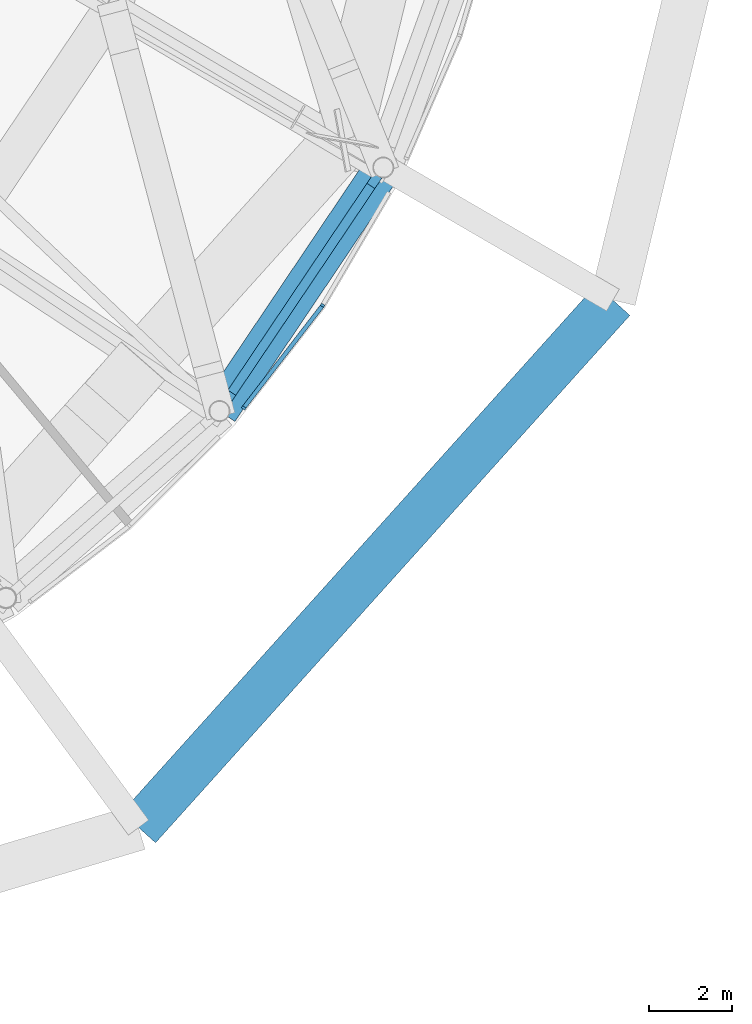
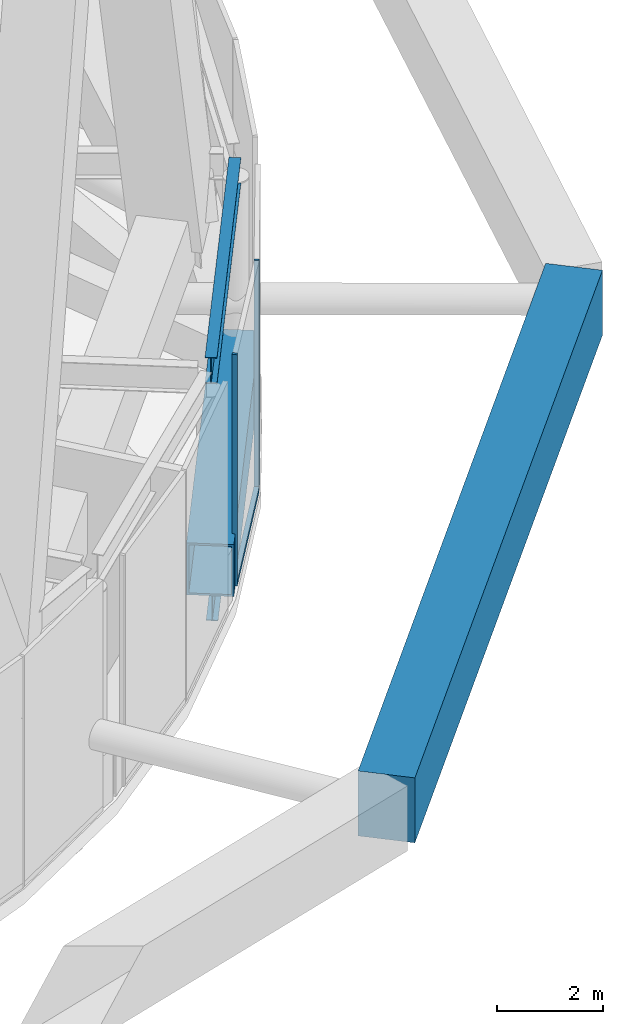
# One storey, part 20 of 60: 4 members, 3 beams, 2 elements without a shape of their own.
"""IFC4 building model written with IfcOpenShell, lengths in metres."""

from ifc_helpers import new_model, si_unit, direction, frame, origin, origin_2d, place, context, subcontext, project, spatial, rectangle, hollow_rectangle, i_section, extrude, material, layer, layer_set, material_profile, profile_set, type_object, element, aggregate, save


model = new_model("IFC4")

# Units and contexts
model_context = context("Model", 3, precision=1e-05, world=origin(), true_north=direction((0.0, 1.0)))
body_context = subcontext(model_context, "Body", "Model", "MODEL_VIEW")
ifc_project = project(units=[si_unit("LENGTHUNIT", "METRE"), si_unit("AREAUNIT", "SQUARE_METRE"), si_unit("VOLUMEUNIT", "CUBIC_METRE"), si_unit("PLANEANGLEUNIT", "RADIAN"), si_unit("MASSUNIT", "GRAM", prefix="KILO")], contexts=[model_context])

# Site, building, storey
site_placement = place(None, origin())
site = spatial("IfcSite", under=ifc_project, at=site_placement, CompositionType="ELEMENT")
building_placement = place(site_placement, origin())
building = spatial("IfcBuilding", under=site, at=building_placement, Name="Nagisa Residences", CompositionType="ELEMENT")
storey_placement = place(building_placement, frame((0.0, 0.0, 206.60009765625)))
storey = spatial("IfcBuildingStorey", under=building, at=storey_placement, Name="L52", CompositionType="ELEMENT", Elevation=206.60009765625)

# Beam
ifc_material_1 = material(Name="Steel ASTM A572 Gr 50", Category="steel")
ifc_material_profile_1 = material_profile(ifc_material_1, hollow_rectangle(XDim=0.89990234375, YDim=1.199951171875, WallThickness=0.044921875, at=origin_2d()), Name="BX 900x1200x45")
ifc_profile_set_1 = profile_set([ifc_material_profile_1], Name="Steel ASTM A572 Gr 50")
beam_type_1 = type_object("IfcBeamType", Name="Belt chord 4 BX 900x1200x45", PredefinedType="BEAM", material=ifc_profile_set_1)
beam_1_placement = place(storey_placement, frame((21.189208984375, -20.064208984375, 0.599853515625), z_axis=(0.558147783438, 0.829741557259, 0.0), x_axis=(-0.829741557259, 0.558147783438, 0.0)))
element("IfcBeam", 1, at=beam_1_placement, inside=storey, type_object=beam_type_1, Name="beam:L52:bt4b22", PredefinedType="BEAM", context=body_context, shape_type="SweptSolid", body=[
    extrude(hollow_rectangle(XDim=0.89990234375, YDim=1.199951171875, WallThickness=0.044921875, at=origin_2d()), origin(), (0.0, 0.0, 1.0), 7.08251953125),
])

# Curtain wall, member
ifc_material_2 = material(Name="Aluminium curtain wall system", Category="aluminium")
ifc_layer = layer(ifc_material_2, 0.159912109375)
ifc_layer_set = layer_set([ifc_layer], Name="CW5 CURTAIN WALL")
curtain_wall_type = type_object("IfcCurtainWallType", Name="CW5 CURTAIN WALL", PredefinedType="NOTDEFINED", material=ifc_layer_set)
curtain_wall_1_placement = place(storey_placement, origin())
curtain_wall_1 = element("IfcCurtainWall", 2, at=curtain_wall_1_placement, inside=storey, type_object=curtain_wall_type, Name="cw:CW5:L52:42", PredefinedType="NOTDEFINED")
ifc_material_3 = material(Name="Aluminium", Category="aluminium")
ifc_material_profile_2 = material_profile(ifc_material_3, rectangle(XDim=0.10009765625, YDim=0.06005859375, at=origin_2d()), Name="CW5 MULLION 100x60")
ifc_profile_set_2 = profile_set([ifc_material_profile_2], Name="Aluminium")
member_type_1 = type_object("IfcMemberType", Name="CW5 MULLION 100x60", PredefinedType="MULLION", material=ifc_profile_set_2)
member_1_placement = place(storey_placement, frame((21.7724609375, -19.98876953125, 0.0), z_axis=(0.0, 0.0, 1.0), x_axis=(-0.792070340816, 0.610429828235, 0.0)))
member_1 = element("IfcMember", 3, at=member_1_placement, type_object=member_type_1, Name="CW5 mullion", PredefinedType="MULLION", context=body_context, shape_type="SweptSolid", body=[
    extrude(rectangle(XDim=0.10009765625, YDim=0.06005859375, at=origin_2d()), origin(), (0.0, 0.0, 1.0), 5.33984375),
])

curtain_wall_2_placement = place(storey_placement, origin())
curtain_wall_2 = element("IfcCurtainWall", 4, at=curtain_wall_2_placement, inside=storey, type_object=curtain_wall_type, Name="cw:CW5:L52:43", PredefinedType="NOTDEFINED")
member_2_placement = place(storey_placement, frame((23.677490234375, -17.51171875, 0.0), z_axis=(0.0, 0.0, 1.0), x_axis=(-0.862328898214, 0.506348567002, 0.0)))
member_2 = element("IfcMember", 5, at=member_2_placement, type_object=member_type_1, Name="CW5 mullion", PredefinedType="MULLION", context=body_context, shape_type="SweptSolid", body=[
    extrude(rectangle(XDim=0.10009765625, YDim=0.06005859375, at=origin_2d()), origin(), (0.0, 0.0, 1.0), 5.33984375),
])
aggregate(curtain_wall_2, [member_2])

# Member
ifc_material_4 = material(Name="Aluminium", Category="aluminium")
ifc_material_profile_3 = material_profile(ifc_material_4, rectangle(XDim=0.10009765625, YDim=0.1201171875, at=origin_2d()), Name="CW5 TRANSOM 100x120")
ifc_profile_set_3 = profile_set([ifc_material_profile_3], Name="Aluminium")
member_type_2 = type_object("IfcMemberType", Name="CW5 TRANSOM 100x120", PredefinedType="USERDEFINED", material=ifc_profile_set_3)
member_3_placement = place(storey_placement, frame((21.754150390625, -20.012451171875, 0.059814453125), z_axis=(0.610414235322, 0.79208235766, 0.0), x_axis=(-0.79208235766, 0.610414235322, 0.0)))
member_3 = element("IfcMember", 6, at=member_3_placement, type_object=member_type_2, Name="CW5 transom", ObjectType="TRANSOM", PredefinedType="USERDEFINED", context=body_context, shape_type="SweptSolid", body=[
    extrude(rectangle(XDim=0.10009765625, YDim=0.1201171875, at=origin_2d()), origin(), (0.0, 0.0, 1.0), 3.13525390625),
])

aggregate(curtain_wall_1, [member_1, member_3])

ifc_material_5 = material(Name="Concrete C80", Category="concrete")
ifc_material_profile_4 = material_profile(ifc_material_5, rectangle(XDim=1.10009765625, YDim=1.5, at=origin_2d()), Name="C80 1100x1500")
ifc_profile_set_4 = profile_set([ifc_material_profile_4], Name="Concrete C80")
member_type_3 = type_object("IfcMemberType", Name="Cage ring 4 C80 1100x1500", PredefinedType="CHORD", material=ifc_profile_set_4)
member_4_placement = place(storey_placement, frame((19.237548828125, -30.115966796875, 1.89990234375), z_axis=(0.668701524024, 0.743530948763, 0.0), x_axis=(-0.743530948763, 0.668701524024, 0.0)))
element("IfcMember", 7, at=member_4_placement, inside=storey, type_object=member_type_3, Name="beam:L52:cg4r111", PredefinedType="CHORD", context=body_context, shape_type="SweptSolid", body=[
    extrude(rectangle(XDim=1.10009765625, YDim=1.5, at=origin_2d()), origin(), (0.0, 0.0, 1.0), 17.118896484375),
])

# Beams
ifc_material_6 = material(Name="Steel ASTM A572 Gr 50", Category="steel")
ifc_material_profile_5 = material_profile(ifc_material_6, i_section(OverallWidth=0.22802734375, OverallDepth=0.60302734375, WebThickness=0.010498046875, FlangeThickness=0.014892578125, at=origin_2d()), Name="W610x101")
ifc_profile_set_5 = profile_set([ifc_material_profile_5], Name="Steel ASTM A572 Gr 50")
beam_type_2 = type_object("IfcBeamType", Name="Garden edge beam W610x101", PredefinedType="BEAM", material=ifc_profile_set_5)
beam_2_placement = place(storey_placement, frame((21.31982421875, -19.8701171875, 5.038330078125), z_axis=(0.558136498416, 0.829749148319, 0.0), x_axis=(-0.829749148319, 0.558136498416, 0.0)))
element("IfcBeam", 8, at=beam_2_placement, inside=storey, type_object=beam_type_2, Name="beam:L52:bt4ge22", PredefinedType="BEAM", context=body_context, shape_type="SweptSolid", body=[
    extrude(i_section(OverallWidth=0.22802734375, OverallDepth=0.60302734375, WebThickness=0.010498046875, FlangeThickness=0.014892578125, at=origin_2d()), origin(), (0.0, 0.0, 1.0), 6.61474609375),
])
ifc_material_7 = material(Name="Steel ASTM A572 Gr 50", Category="steel")
ifc_material_profile_6 = material_profile(ifc_material_7, i_section(OverallWidth=0.22802734375, OverallDepth=0.60302734375, WebThickness=0.010498046875, FlangeThickness=0.014892578125, at=origin_2d()), Name="W610x101")
ifc_profile_set_6 = profile_set([ifc_material_profile_6], Name="Steel ASTM A572 Gr 50")
beam_type_3 = type_object("IfcBeamType", Name="Perimeter ring beam W610x101", PredefinedType="BEAM", material=ifc_profile_set_6)
beam_3_placement = place(storey_placement, frame((21.487548828125, -19.62060546875, -0.651611328125), z_axis=(0.558152301307, 0.829738518177, 0.0), x_axis=(-0.829738518177, 0.558152301307, 0.0)))
element("IfcBeam", 9, at=beam_3_placement, inside=storey, type_object=beam_type_3, Name="beam:L52:pb22", PredefinedType="BEAM", context=body_context, shape_type="SweptSolid", body=[
    extrude(i_section(OverallWidth=0.22802734375, OverallDepth=0.60302734375, WebThickness=0.010498046875, FlangeThickness=0.014892578125, at=origin_2d()), origin(), (0.0, 0.0, 1.0), 6.013916015625),
])

save(model, "model.ifc")
